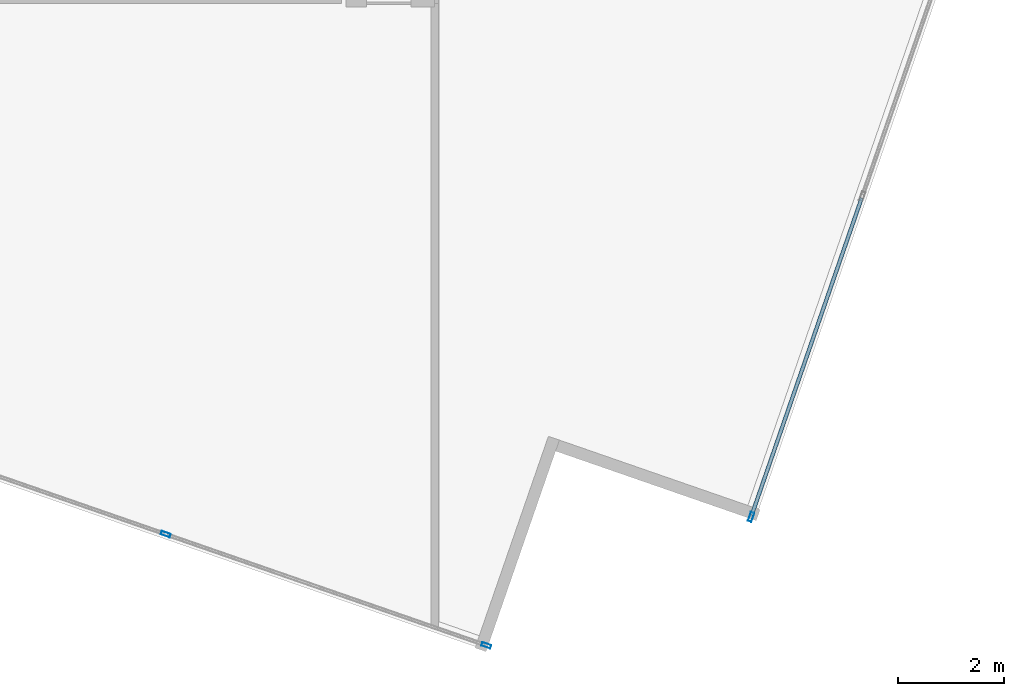
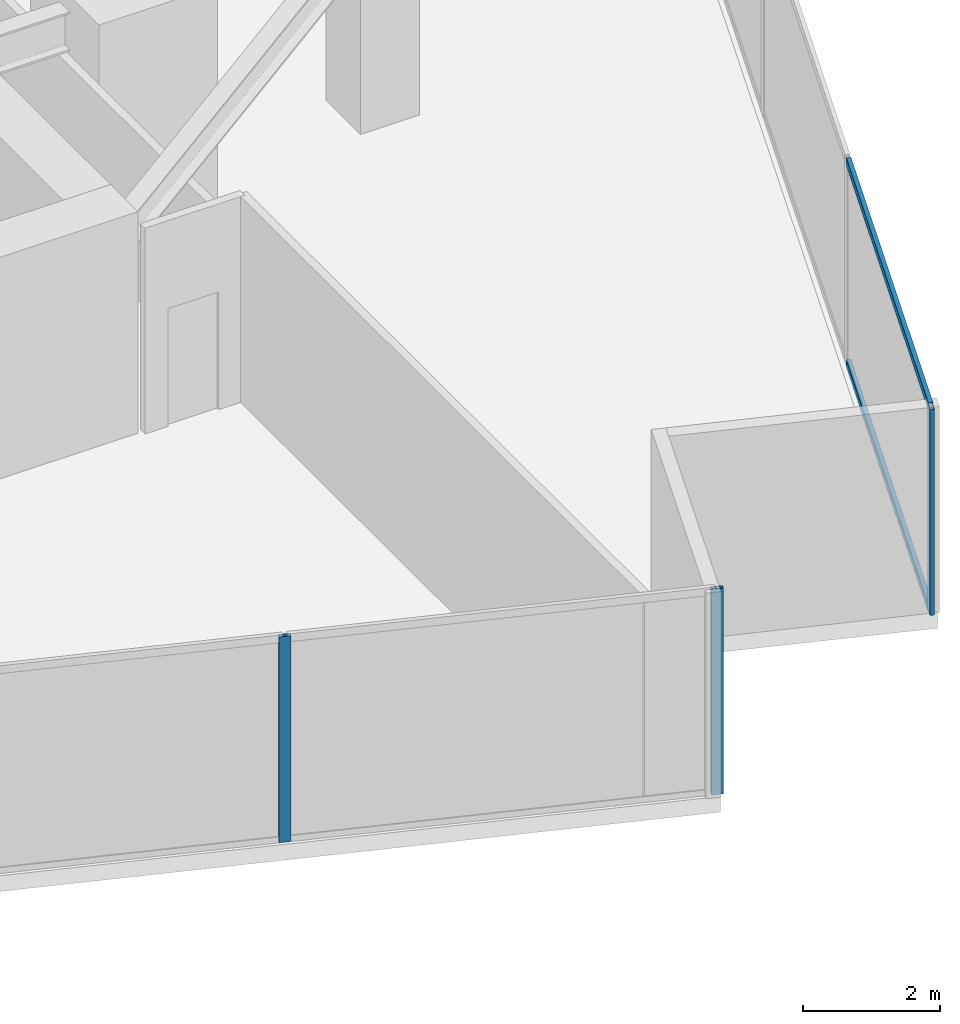
# One storey, part 10 of 28: 5 members, 2 elements without a shape of their own.
"""IFC4 building model written with IfcOpenShell, lengths in metres."""

from ifc_helpers import new_model, si_unit, direction, frame, origin, origin_2d, place, context, subcontext, project, spatial, hollow_rectangle, extrude, source, transform, mapped, material, material_profile, profile_set, type_object, type_shapes, element, aggregate, save


model = new_model("IFC4")

# Units and contexts
model_context = context("Model", 3, precision=1e-05, world=origin(), true_north=direction((0.0, 1.0)))
body_context = subcontext(model_context, "Body", "Model", "MODEL_VIEW")
ifc_project = project(units=[si_unit("LENGTHUNIT", "METRE"), si_unit("AREAUNIT", "SQUARE_METRE"), si_unit("VOLUMEUNIT", "CUBIC_METRE"), si_unit("PLANEANGLEUNIT", "RADIAN"), si_unit("MASSUNIT", "GRAM", prefix="KILO")], contexts=[model_context])

# Site, building, storey
site_placement = place(None, origin())
site = spatial("IfcSite", under=ifc_project, at=site_placement, CompositionType="ELEMENT")
building_placement = place(site_placement, origin())
building = spatial("IfcBuilding", under=site, at=building_placement, Name="Krantzveldt Concourse Tower", CompositionType="ELEMENT")
storey_placement = place(building_placement, frame((0.0, 0.0, 117.699951171875)))
storey = spatial("IfcBuildingStorey", under=building, at=storey_placement, Name="L28", CompositionType="ELEMENT", Elevation=117.699951171875)

# Curtain wall, members
ifc_material = material(Name="Anodised aluminium 6063-T6", Category="aluminium")
curtain_wall_type = type_object("IfcCurtainWallType", Name="CW2", PredefinedType="USERDEFINED", material=ifc_material)
curtain_wall_1_placement = place(storey_placement, origin())
curtain_wall_1 = element("IfcCurtainWall", 1, at=curtain_wall_1_placement, inside=storey, type_object=curtain_wall_type, Name="CW-L28-F04", ObjectType="UNITISED CURTAIN WALL", PredefinedType="USERDEFINED")
ifc_material_profile_1 = material_profile(ifc_material, hollow_rectangle(XDim=0.070068359375, YDim=0.179931640625, WallThickness=0.0048828125, at=origin_2d()), Name="Anodised aluminium 6063-T6", Category="aluminium")
ifc_profile_set_1 = profile_set([ifc_material_profile_1], Name="Anodised aluminium 6063-T6 - ALU-MULL 180x70x5")
member_type_1 = type_object("IfcMemberType", Name="CW-MUL-180", PredefinedType="MULLION", material=ifc_profile_set_1)
shared_shape_1 = source(origin(), body_context, "Body", "SweptSolid", [
    extrude(hollow_rectangle(XDim=0.070068359375, YDim=0.179931640625, WallThickness=0.0048828125, at=origin_2d()), origin(), (0.0, 0.0, 1.0), 3.670166015625),
])
type_shapes(member_type_1, [shared_shape_1])
member_1_placement = place(storey_placement, frame((40.58251953125, 0.439208984375, 0.0), z_axis=(0.0, 0.0, 1.0), x_axis=(0.32763019404, 0.944806041446, 0.0)))
member_1 = element("IfcMember", 2, at=member_1_placement, type_object=member_type_1, Name="CW-Z12 mullion 6", PredefinedType="MULLION", context=body_context, shape_type="MappedRepresentation", body=[
    mapped(shared_shape_1, transform((0.0, 0.0, 0.0), x_axis=(1.0, 0.0, 0.0), y_axis=(0.0, 1.0, 0.0), z_axis=(0.0, 0.0, 1.0), scale=1.0)),
])
member_2_placement = place(storey_placement, frame((46.6591796875, -1.66796875, 0.0), z_axis=(0.0, 0.0, 1.0), x_axis=(0.32763019404, 0.944806041446, 0.0)))
member_2 = element("IfcMember", 3, at=member_2_placement, type_object=member_type_1, Name="CW-Z12 mullion 7", PredefinedType="MULLION", context=body_context, shape_type="MappedRepresentation", body=[
    mapped(shared_shape_1, transform((0.0, 0.0, 0.0), x_axis=(1.0, 0.0, 0.0), y_axis=(0.0, 1.0, 0.0), z_axis=(0.0, 0.0, 1.0), scale=1.0)),
])
aggregate(curtain_wall_1, [member_1, member_2])

curtain_wall_2_placement = place(storey_placement, origin())
curtain_wall_2 = element("IfcCurtainWall", 4, at=curtain_wall_2_placement, inside=storey, type_object=curtain_wall_type, Name="CW-L28-F07", ObjectType="UNITISED CURTAIN WALL", PredefinedType="USERDEFINED")
member_3_placement = place(storey_placement, frame((51.678955078125, 0.766845703125, 0.0), z_axis=(0.0, 0.0, 1.0), x_axis=(-0.944806041446, 0.32763019404, 0.0)))
member_3 = element("IfcMember", 5, at=member_3_placement, type_object=member_type_1, Name="CW-Z12 mullion 1", PredefinedType="MULLION", context=body_context, shape_type="MappedRepresentation", body=[
    mapped(shared_shape_1, transform((0.0, 0.0, 0.0), x_axis=(1.0, 0.0, 0.0), y_axis=(0.0, 1.0, 0.0), z_axis=(0.0, 0.0, 1.0), scale=1.0)),
])
ifc_material_profile_2 = material_profile(ifc_material, hollow_rectangle(XDim=0.070068359375, YDim=0.139892578125, WallThickness=0.0048828125, at=origin_2d()), Name="Anodised aluminium 6063-T6", Category="aluminium")
ifc_profile_set_2 = profile_set([ifc_material_profile_2], Name="Anodised aluminium 6063-T6 - ALU-TRAN 140x70x5")
member_type_2 = type_object("IfcMemberType", Name="CW-TRN-150", PredefinedType="USERDEFINED", material=ifc_profile_set_2)
shared_shape_2 = source(origin(), body_context, "Body", "SweptSolid", [
    extrude(hollow_rectangle(XDim=0.070068359375, YDim=0.139892578125, WallThickness=0.0048828125, at=origin_2d()), origin(), (0.0, 0.0, 1.0), 6.361572265625),
])
type_shapes(member_type_2, [shared_shape_2])
member_4_placement = place(storey_placement, frame((51.6904296875, 0.7998046875, 0.03515625), z_axis=(0.327625894764, 0.944807532294, 0.0), x_axis=(-0.944807532294, 0.327625894764, 0.0)))
member_4 = element("IfcMember", 6, at=member_4_placement, type_object=member_type_2, Name="CW-Z12 transom 1.1", ObjectType="TRANSOM", PredefinedType="USERDEFINED", context=body_context, shape_type="MappedRepresentation", body=[
    mapped(shared_shape_2, transform((0.0, 0.0, 0.0), x_axis=(1.0, 0.0, 0.0), y_axis=(0.0, 1.0, 0.0), z_axis=(0.0, 0.0, 1.0), scale=1.0)),
])
member_5_placement = place(storey_placement, frame((51.6904296875, 0.7998046875, 3.635009765625), z_axis=(0.327625894764, 0.944807532294, 0.0), x_axis=(-0.944807532294, 0.327625894764, 0.0)))
member_5 = element("IfcMember", 7, at=member_5_placement, type_object=member_type_2, Name="CW-Z12 transom 1.2", ObjectType="TRANSOM", PredefinedType="USERDEFINED", context=body_context, shape_type="MappedRepresentation", body=[
    mapped(shared_shape_2, transform((0.0, 0.0, 0.0), x_axis=(1.0, 0.0, 0.0), y_axis=(0.0, 1.0, 0.0), z_axis=(0.0, 0.0, 1.0), scale=1.0)),
])
aggregate(curtain_wall_2, [member_3, member_4, member_5])

save(model, "model.ifc")
